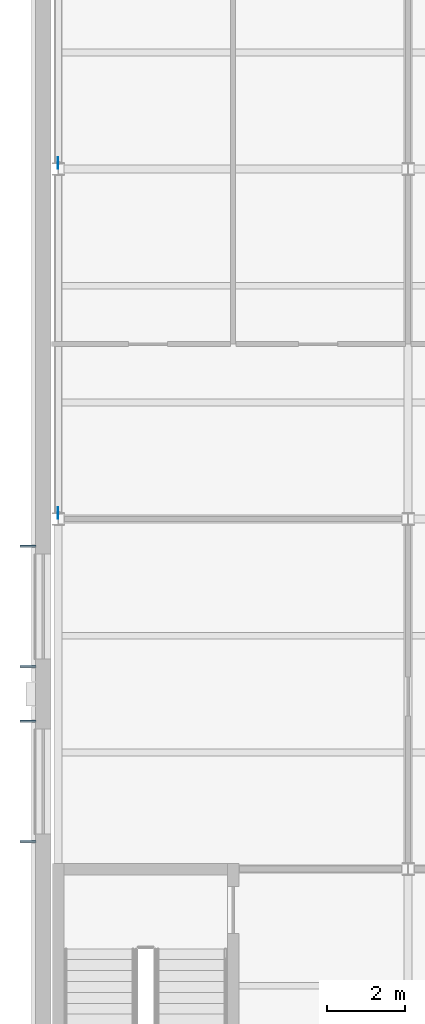
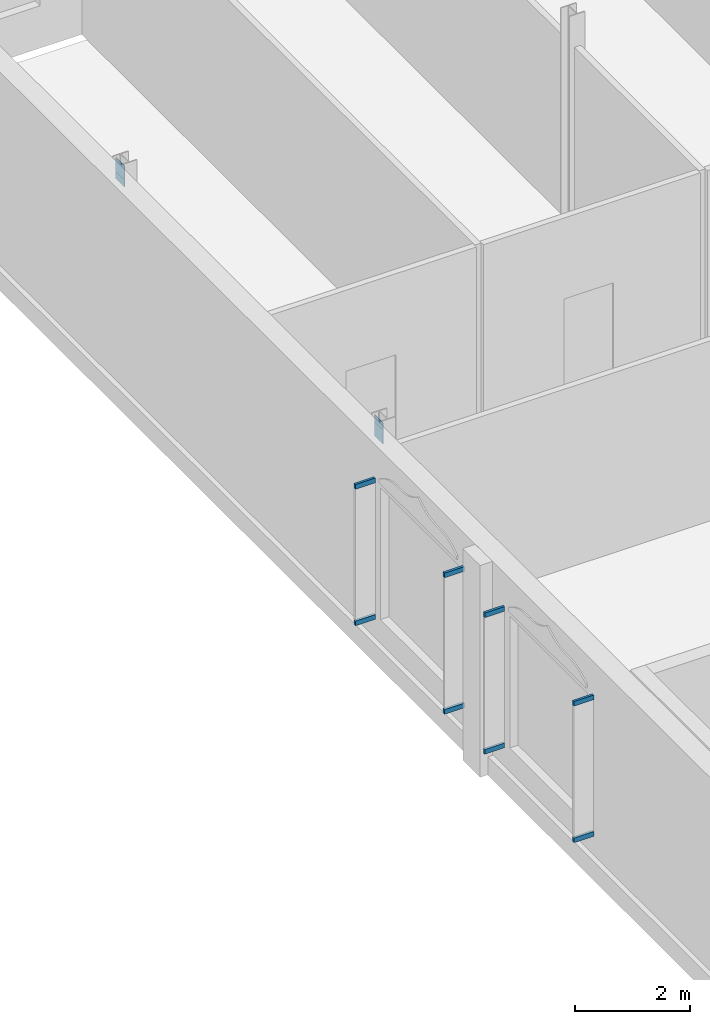
# One storey, part 37 of 59: 12 discrete accessories.
"""IFC4 building model written with IfcOpenShell, lengths in metres."""

from ifc_helpers import new_model, si_unit, direction, frame, origin, origin_2d, place, context, subcontext, project, spatial, rectangle, extrude, material, layer, layer_set, type_object, element, save


model = new_model("IFC4")

# Units and contexts
model_context = context("Model", 3, precision=1e-05, world=origin(), true_north=direction((0.0, 1.0)))
body_context = subcontext(model_context, "Body", "Model", "MODEL_VIEW")
ifc_project = project(units=[si_unit("LENGTHUNIT", "METRE"), si_unit("AREAUNIT", "SQUARE_METRE"), si_unit("VOLUMEUNIT", "CUBIC_METRE"), si_unit("PLANEANGLEUNIT", "RADIAN"), si_unit("MASSUNIT", "GRAM", prefix="KILO")], contexts=[model_context])

# Site, building, storey
site_placement = place(None, origin())
site = spatial("IfcSite", under=ifc_project, at=site_placement, CompositionType="ELEMENT")
building_placement = place(site_placement, origin())
building = spatial("IfcBuilding", under=site, at=building_placement, Name="Hortulan Conservatory and Botanical Research Centre", CompositionType="ELEMENT")
storey_placement = place(building_placement, frame((0.0, 0.0, 10.5)))
storey = spatial("IfcBuildingStorey", under=building, at=storey_placement, Name="L02", CompositionType="ELEMENT", Elevation=10.5)

# Discrete accessories
ifc_material_1 = material(Name="Steel Grade 300 plate (AS/NZS 3678, 280 MPa minimum yield)", Category="steel")
discrete_accessory_type_1 = type_object("IfcDiscreteAccessoryType", Name="End Plate 300x12", PredefinedType="BRACKET", material=ifc_material_1)
for number, where, z_axis, x_axis, name in (
    (1, (0.0, 54.157470703125, 3.87744140625), (0.0, 0.0, 1.0), (0.0, -1.0, 0.0), "Brace end plate"),
    (2, (0.0, 54.157470703125, 4.02685546875), (0.0, 0.0, 1.0), (0.0, -1.0, 0.0), "Brace end plate"),
    (3, (0.0, 63.157470703125, 3.87744140625), (0.0, 0.0, 1.0), (0.0, -1.0, 0.0), "Brace end plate"),
    (4, (0.0, 63.157470703125, 4.02685546875), (0.0, 0.0, 1.0), (0.0, -1.0, 0.0), "Brace end plate"),
):
    element("IfcDiscreteAccessory", number, at=place(storey_placement, frame(where, z_axis=z_axis, x_axis=x_axis)), inside=storey, type_object=discrete_accessory_type_1, Name=name, PredefinedType="BRACKET", context=body_context, shape_type="SweptSolid", body=[
        extrude(rectangle(XDim=0.300048828125, YDim=0.011962890625, at=origin_2d()), origin(), (0.0, 0.0, 1.0), 0.300048828125),
    ])
ifc_material_2 = material(Name="Bronze-charcoal painted wrought iron", Category="metal")
ifc_layer = layer(ifc_material_2, 0.050048828125)
ifc_layer_set = layer_set([ifc_layer], Name="Fin Bracket 50x400x100")
discrete_accessory_type_2 = type_object("IfcDiscreteAccessoryType", Name="Fin Bracket 50x400x100", PredefinedType="BRACKET", material=ifc_layer_set)
for number, where, z_axis, x_axis, name in (
    (5, (-0.779541015625, 45.699951171875, 0.800048828125), (0.0, 0.0, 1.0), (0.0, 1.0, 0.0), "Fin bracket"),
    (6, (-0.779541015625, 45.699951171875, 3.699951171875), (0.0, 0.0, 1.0), (0.0, 1.0, 0.0), "Fin bracket"),
    (7, (-0.779541015625, 48.800048828125, 0.800048828125), (0.0, 0.0, 1.0), (0.0, 1.0, 0.0), "Fin bracket"),
    (8, (-0.779541015625, 48.800048828125, 3.699951171875), (0.0, 0.0, 1.0), (0.0, 1.0, 0.0), "Fin bracket"),
    (9, (-0.779541015625, 50.199951171875, 0.800048828125), (0.0, 0.0, 1.0), (0.0, 1.0, 0.0), "Fin bracket"),
    (10, (-0.779541015625, 50.199951171875, 3.699951171875), (0.0, 0.0, 1.0), (0.0, 1.0, 0.0), "Fin bracket"),
    (11, (-0.779541015625, 53.300048828125, 0.800048828125), (0.0, 0.0, 1.0), (0.0, 1.0, 0.0), "Fin bracket"),
    (12, (-0.779541015625, 53.300048828125, 3.699951171875), (0.0, 0.0, 1.0), (0.0, 1.0, 0.0), "Fin bracket"),
):
    element("IfcDiscreteAccessory", number, at=place(storey_placement, frame(where, z_axis=z_axis, x_axis=x_axis)), inside=storey, type_object=discrete_accessory_type_2, Name=name, PredefinedType="BRACKET", context=body_context, shape_type="SweptSolid", body=[
        extrude(rectangle(XDim=0.050048828125, YDim=0.39990234375, at=origin_2d()), origin(), (0.0, 0.0, 1.0), 0.10009765625),
    ])

save(model, "model.ifc")
